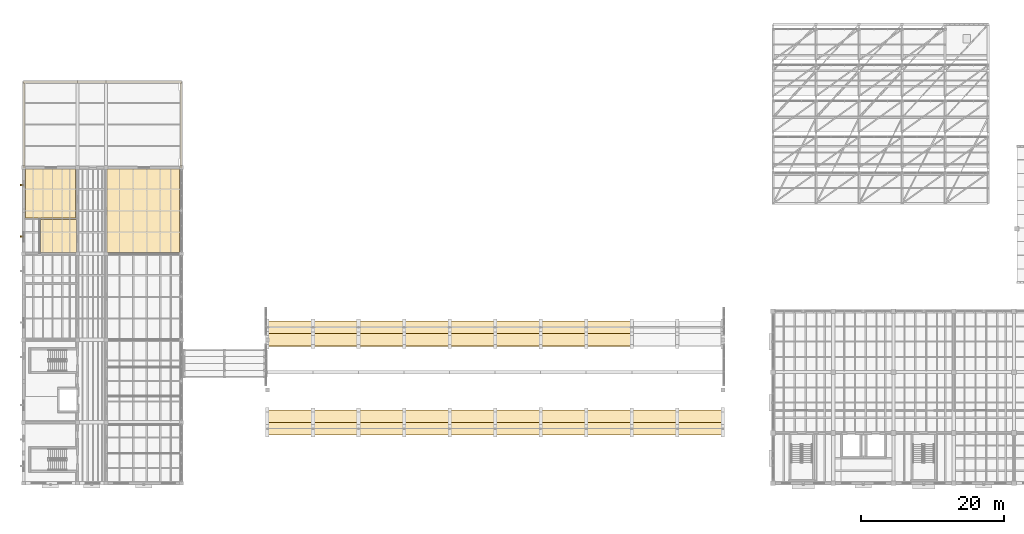
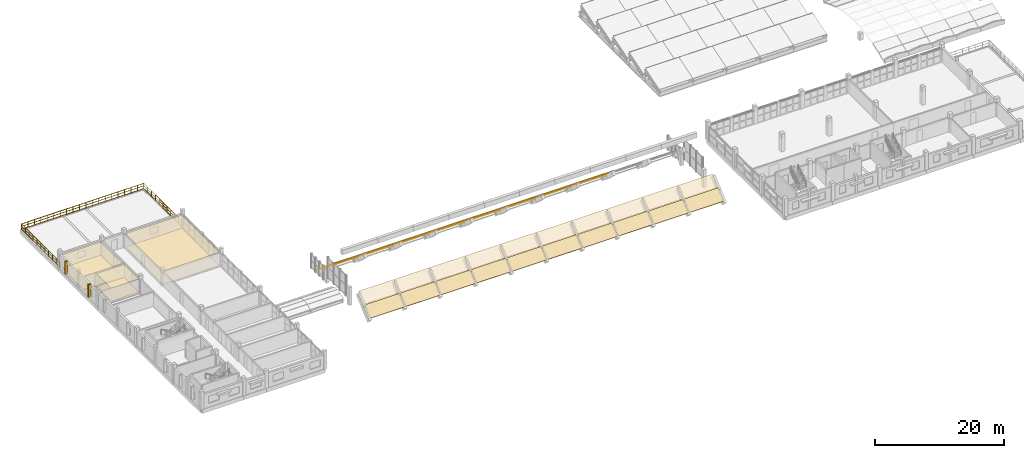
# One storey, part 44 of 48: 42 coverings, 2 shading devices, 1 railing.
"""IFC4 building model written with IfcOpenShell, lengths in metres."""

from ifc_helpers import new_model, si_unit, direction, frame, origin, origin_2d, place, context, subcontext, project, spatial, polyline, rectangle, circle, outline, extrude, material, layer, layer_set, type_object, element, save


model = new_model("IFC4")

# Units and contexts
model_context = context("Model", 3, precision=1e-05, world=origin(), true_north=direction((0.0, 1.0)))
body_context = subcontext(model_context, "Body", "Model", "MODEL_VIEW")
ifc_project = project(units=[si_unit("LENGTHUNIT", "METRE"), si_unit("AREAUNIT", "SQUARE_METRE"), si_unit("VOLUMEUNIT", "CUBIC_METRE"), si_unit("PLANEANGLEUNIT", "RADIAN"), si_unit("MASSUNIT", "GRAM", prefix="KILO")], contexts=[model_context])

# Site, building, storey
site_placement = place(None, origin())
site = spatial("IfcSite", under=ifc_project, at=site_placement, CompositionType="ELEMENT")
building_placement = place(site_placement, origin())
building = spatial("IfcBuilding", under=site, at=building_placement, Name="Trellovar Central Fire Station", CompositionType="ELEMENT")
storey_placement = place(building_placement, frame((0.0, 0.0, 9.300048828125)))
storey = spatial("IfcBuildingStorey", under=building, at=storey_placement, Name="L03", CompositionType="ELEMENT", Elevation=9.300048828125)

# Coverings
ifc_material_1 = material(Name="Perforated acoustic mineral fiber ceiling tile", Category="mineral")
ifc_layer_1 = layer(ifc_material_1, 0.02490234375)
ifc_layer_set_1 = layer_set([ifc_layer_1], Name="Perforated acoustic mineral fiber ceiling tile")
covering_type_1 = type_object("IfcCoveringType", Name="COV-CLG1", PredefinedType="CEILING", material=ifc_layer_set_1)
covering_1_placement = place(storey_placement, frame((0.0, 0.0, 2.47998046875)))
element("IfcCovering", 1, at=covering_1_placement, inside=storey, type_object=covering_type_1, Name="Night Watch Wellness Lounge suspended ceiling", PredefinedType="CEILING", context=body_context, shape_type="SweptSolid", body=[
    extrude(outline(polyline([(8.25, 52.85009765625), (8.25, 46.0), (1.25, 46.0), (1.25, 52.85009765625), (8.25, 52.85009765625)])), origin(), (0.0, 0.0, 1.0), 0.02490234375),
])
ifc_material_2 = material(Name="Moisture-resistant gypsum ceiling board", Category="gypsum")
ifc_layer_2 = layer(ifc_material_2, 0.030029296875)
ifc_layer_set_2 = layer_set([ifc_layer_2], Name="Moisture-resistant gypsum ceiling board")
covering_type_2 = type_object("IfcCoveringType", Name="COV-CLG2", PredefinedType="CEILING", material=ifc_layer_set_2)
covering_2_placement = place(storey_placement, frame((0.0, 0.0, 2.47998046875)))
element("IfcCovering", 2, at=covering_2_placement, inside=storey, type_object=covering_type_2, Name="Dormitory Shower and Locker Suite suspended ceiling", PredefinedType="CEILING", context=body_context, shape_type="SweptSolid", body=[
    extrude(outline(polyline([(22.75, 52.85009765625), (22.75, 41.14990234375), (12.64990234375, 41.14990234375), (12.64990234375, 52.85009765625), (22.75, 52.85009765625)])), origin(), (0.0, 0.0, 1.0), 0.030029296875),
])
covering_3_placement = place(storey_placement, frame((0.0, 0.0, 2.47998046875)))
element("IfcCovering", 3, at=covering_3_placement, inside=storey, type_object=covering_type_2, Name="Dormitory Accessible Bathroom suspended ceiling", PredefinedType="CEILING", context=body_context, shape_type="SweptSolid", body=[
    extrude(outline(polyline([(8.35009765625, 45.800048828125), (8.35009765625, 41.199951171875), (3.35009765625, 41.199951171875), (3.35009765625, 45.800048828125), (8.35009765625, 45.800048828125)])), origin(), (0.0, 0.0, 1.0), 0.030029296875),
])
ifc_material_3 = material(Name="Vitrified Catalan ceramic floor tile", Category="masonry")
ifc_layer_3 = layer(ifc_material_3, 0.01806640625)
ifc_layer_set_3 = layer_set([ifc_layer_3], Name="Vitrified Catalan ceramic floor tile")
covering_type_3 = type_object("IfcCoveringType", Name="COV-FLR2", PredefinedType="FLOORING", material=ifc_layer_set_3)
covering_4_placement = place(storey_placement, origin())
element("IfcCovering", 4, at=covering_4_placement, inside=storey, type_object=covering_type_3, Name="Dormitory Shower and Locker Suite floor finish", PredefinedType="FLOORING", context=body_context, shape_type="SweptSolid", body=[
    extrude(outline(polyline([(22.75, 52.85009765625), (22.75, 41.14990234375), (12.64990234375, 41.14990234375), (12.64990234375, 52.85009765625), (22.75, 52.85009765625)])), origin(), (0.0, 0.0, 1.0), 0.01806640625),
])
covering_5_placement = place(storey_placement, origin())
element("IfcCovering", 5, at=covering_5_placement, inside=storey, type_object=covering_type_3, Name="Dormitory Accessible Bathroom floor finish", PredefinedType="FLOORING", context=body_context, shape_type="SweptSolid", body=[
    extrude(outline(polyline([(8.35009765625, 45.800048828125), (8.35009765625, 41.199951171875), (3.35009765625, 41.199951171875), (3.35009765625, 45.800048828125), (8.35009765625, 45.800048828125)])), origin(), (0.0, 0.0, 1.0), 0.01806640625),
])
covering_6_placement = place(storey_placement, origin())
element("IfcCovering", 6, at=covering_6_placement, inside=storey, type_object=covering_type_3, Name="Night Watch Wellness Lounge floor finish", PredefinedType="FLOORING", context=body_context, shape_type="SweptSolid", body=[
    extrude(outline(polyline([(8.25, 52.85009765625), (8.25, 46.0), (1.25, 46.0), (1.25, 52.85009765625), (8.25, 52.85009765625)])), origin(), (0.0, 0.0, 1.0), 0.01806640625),
])
ifc_material_4 = material(Name="Glazed ceramic trencadis roofing", Category="masonry")
ifc_layer_4 = layer(ifc_material_4, 0.06005859375)
ifc_layer_set_4 = layer_set([ifc_layer_4], Name="Glazed ceramic trencadis roofing")
covering_type_4 = type_object("IfcCoveringType", Name="COV-RF1", PredefinedType="ROOFING", material=ifc_layer_set_4)
covering_7_placement = place(storey_placement, frame((35.0, 15.748779296875, 1.12841796875), z_axis=(0.0, -0.66774294701, 0.74439193757), x_axis=(1.0, 0.0, 0.0)))
element("IfcCovering", 7, at=covering_7_placement, inside=storey, type_object=covering_type_4, Name="Glazed trencadis vault covering V1-01-02", PredefinedType="ROOFING", context=body_context, shape_type="SweptSolid", body=[
    extrude(outline(polyline([(0.0, 0.0), (6.35009765625, 0.0), (6.35009765625, 2.2869573032762025), (0.0, 2.2869573032762025), (0.0, 0.0)])), origin(), (0.0, 0.0, -1.0), 0.06005859375),
])
covering_8_placement = place(storey_placement, frame((35.0, 17.495361328125, 2.695068359375), z_axis=(0.0, -0.667689886388, 0.744439531202), x_axis=(1.0, 0.0, 0.0)))
element("IfcCovering", 8, at=covering_8_placement, inside=storey, type_object=covering_type_4, Name="Glazed trencadis vault covering V1-01-03", PredefinedType="ROOFING", context=body_context, shape_type="SweptSolid", body=[
    extrude(outline(polyline([(0.0, 0.0), (6.35009765625, 0.0), (6.35009765625, 2.287139045399086), (0.0, 2.287139045399086), (0.0, 0.0)])), origin(), (0.0, 0.0, -1.0), 0.06005859375),
])
covering_9_placement = place(storey_placement, frame((35.0, 28.110595703125, 3.9248046875), z_axis=(0.0, 0.696346274579, 0.717705974533), x_axis=(1.0, 0.0, 0.0)))
element("IfcCovering", 9, at=covering_9_placement, inside=storey, type_object=covering_type_4, Name="Glazed trencadis vault covering V1-01-09", PredefinedType="ROOFING", context=body_context, shape_type="SweptSolid", body=[
    extrude(outline(polyline([(0.0, 0.0), (6.35009765625, 0.0), (6.35009765625, 2.4345825660173794), (0.0, 2.4345825660173794), (0.0, 0.0)])), origin(), (0.0, 0.0, -1.0), 0.06005859375),
])
covering_10_placement = place(storey_placement, frame((35.0, 29.8994140625, 2.1962890625), z_axis=(0.0, 0.622845234629, 0.782345073289), x_axis=(1.0, 0.0, 0.0)))
element("IfcCovering", 10, at=covering_10_placement, inside=storey, type_object=covering_type_4, Name="Glazed trencadis vault covering V1-01-10", PredefinedType="ROOFING", context=body_context, shape_type="SweptSolid", body=[
    extrude(outline(polyline([(0.0, 0.0), (6.35009765625, 0.0), (6.35009765625, 2.239361101406021), (0.0, 2.239361101406021), (0.0, 0.0)])), origin(), (0.0, 0.0, -1.0), 0.06005859375),
])
covering_11_placement = place(storey_placement, frame((41.35009765625, 15.748779296875, 1.12841796875), z_axis=(0.0, -0.66774294701, 0.74439193757), x_axis=(1.0, 0.0, 0.0)))
element("IfcCovering", 11, at=covering_11_placement, inside=storey, type_object=covering_type_4, Name="Glazed trencadis vault covering V1-02-02", PredefinedType="ROOFING", context=body_context, shape_type="SweptSolid", body=[
    extrude(outline(polyline([(0.0, 0.0), (6.349853515625, 0.0), (6.349853515625, 2.286957303276203), (0.0, 2.286957303276203), (0.0, 0.0)])), origin(), (0.0, 0.0, -1.0), 0.06005859375),
])
covering_12_placement = place(storey_placement, frame((41.35009765625, 17.495361328125, 2.695068359375), z_axis=(0.0, -0.667689886388, 0.744439531202), x_axis=(1.0, 0.0, 0.0)))
element("IfcCovering", 12, at=covering_12_placement, inside=storey, type_object=covering_type_4, Name="Glazed trencadis vault covering V1-02-03", PredefinedType="ROOFING", context=body_context, shape_type="SweptSolid", body=[
    extrude(outline(polyline([(0.0, 0.0), (6.349853515625, 0.0), (6.349853515625, 2.287139045399087), (0.0, 2.287139045399087), (0.0, 0.0)])), origin(), (0.0, 0.0, -1.0), 0.06005859375),
])
covering_13_placement = place(storey_placement, frame((41.35009765625, 28.110595703125, 3.9248046875), z_axis=(0.0, 0.696346274579, 0.717705974533), x_axis=(1.0, 0.0, 0.0)))
element("IfcCovering", 13, at=covering_13_placement, inside=storey, type_object=covering_type_4, Name="Glazed trencadis vault covering V1-02-09", PredefinedType="ROOFING", context=body_context, shape_type="SweptSolid", body=[
    extrude(outline(polyline([(0.0, 0.0), (6.349853515625, 0.0), (6.349853515625, 2.4345825660173794), (0.0, 2.4345825660173794), (0.0, 0.0)])), origin(), (0.0, 0.0, -1.0), 0.06005859375),
])
covering_14_placement = place(storey_placement, frame((41.35009765625, 29.8994140625, 2.1962890625), z_axis=(0.0, 0.622845234629, 0.782345073289), x_axis=(1.0, 0.0, 0.0)))
element("IfcCovering", 14, at=covering_14_placement, inside=storey, type_object=covering_type_4, Name="Glazed trencadis vault covering V1-02-10", PredefinedType="ROOFING", context=body_context, shape_type="SweptSolid", body=[
    extrude(outline(polyline([(0.0, 0.0), (6.349853515625, 0.0), (6.349853515625, 2.239361101406021), (0.0, 2.239361101406021), (0.0, 0.0)])), origin(), (0.0, 0.0, -1.0), 0.06005859375),
])
covering_15_placement = place(storey_placement, frame((47.699951171875, 15.748779296875, 1.12841796875), z_axis=(0.0, -0.66774294701, 0.74439193757), x_axis=(1.0, 0.0, 0.0)))
element("IfcCovering", 15, at=covering_15_placement, inside=storey, type_object=covering_type_4, Name="Glazed trencadis vault covering V1-03-02", PredefinedType="ROOFING", context=body_context, shape_type="SweptSolid", body=[
    extrude(outline(polyline([(0.0, 0.0), (6.35009765625, 0.0), (6.35009765625, 2.2869573032762025), (0.0, 2.2869573032762025), (0.0, 0.0)])), origin(), (0.0, 0.0, -1.0), 0.06005859375),
])
covering_16_placement = place(storey_placement, frame((47.699951171875, 17.495361328125, 2.695068359375), z_axis=(0.0, -0.667689886388, 0.744439531202), x_axis=(1.0, 0.0, 0.0)))
element("IfcCovering", 16, at=covering_16_placement, inside=storey, type_object=covering_type_4, Name="Glazed trencadis vault covering V1-03-03", PredefinedType="ROOFING", context=body_context, shape_type="SweptSolid", body=[
    extrude(outline(polyline([(0.0, 0.0), (6.35009765625, 0.0), (6.35009765625, 2.287139045399086), (0.0, 2.287139045399086), (0.0, 0.0)])), origin(), (0.0, 0.0, -1.0), 0.06005859375),
])
covering_17_placement = place(storey_placement, frame((47.699951171875, 28.110595703125, 3.9248046875), z_axis=(0.0, 0.696346274579, 0.717705974533), x_axis=(1.0, 0.0, 0.0)))
element("IfcCovering", 17, at=covering_17_placement, inside=storey, type_object=covering_type_4, Name="Glazed trencadis vault covering V1-03-09", PredefinedType="ROOFING", context=body_context, shape_type="SweptSolid", body=[
    extrude(outline(polyline([(0.0, 0.0), (6.35009765625, 0.0), (6.35009765625, 2.4345825660173794), (0.0, 2.4345825660173794), (0.0, 0.0)])), origin(), (0.0, 0.0, -1.0), 0.06005859375),
])
covering_18_placement = place(storey_placement, frame((47.699951171875, 29.8994140625, 2.1962890625), z_axis=(0.0, 0.622845234629, 0.782345073289), x_axis=(1.0, 0.0, 0.0)))
element("IfcCovering", 18, at=covering_18_placement, inside=storey, type_object=covering_type_4, Name="Glazed trencadis vault covering V1-03-10", PredefinedType="ROOFING", context=body_context, shape_type="SweptSolid", body=[
    extrude(outline(polyline([(0.0, 0.0), (6.35009765625, 0.0), (6.35009765625, 2.239361101406021), (0.0, 2.239361101406021), (0.0, 0.0)])), origin(), (0.0, 0.0, -1.0), 0.06005859375),
])
covering_19_placement = place(storey_placement, frame((54.050048828125, 15.748779296875, 1.12841796875), z_axis=(0.0, -0.66774294701, 0.74439193757), x_axis=(1.0, 0.0, 0.0)))
element("IfcCovering", 19, at=covering_19_placement, inside=storey, type_object=covering_type_4, Name="Glazed trencadis vault covering V1-04-02", PredefinedType="ROOFING", context=body_context, shape_type="SweptSolid", body=[
    extrude(outline(polyline([(0.0, 0.0), (6.349853515625, 0.0), (6.349853515625, 2.286957303276203), (0.0, 2.286957303276203), (0.0, 0.0)])), origin(), (0.0, 0.0, -1.0), 0.06005859375),
])
covering_20_placement = place(storey_placement, frame((54.050048828125, 17.495361328125, 2.695068359375), z_axis=(0.0, -0.667689886388, 0.744439531202), x_axis=(1.0, 0.0, 0.0)))
element("IfcCovering", 20, at=covering_20_placement, inside=storey, type_object=covering_type_4, Name="Glazed trencadis vault covering V1-04-03", PredefinedType="ROOFING", context=body_context, shape_type="SweptSolid", body=[
    extrude(outline(polyline([(0.0, 0.0), (6.349853515625, 0.0), (6.349853515625, 2.287139045399087), (0.0, 2.287139045399087), (0.0, 0.0)])), origin(), (0.0, 0.0, -1.0), 0.06005859375),
])
covering_21_placement = place(storey_placement, frame((54.050048828125, 28.110595703125, 3.9248046875), z_axis=(0.0, 0.696346274579, 0.717705974533), x_axis=(1.0, 0.0, 0.0)))
element("IfcCovering", 21, at=covering_21_placement, inside=storey, type_object=covering_type_4, Name="Glazed trencadis vault covering V1-04-09", PredefinedType="ROOFING", context=body_context, shape_type="SweptSolid", body=[
    extrude(outline(polyline([(0.0, 0.0), (6.349853515625, 0.0), (6.349853515625, 2.4345825660173794), (0.0, 2.4345825660173794), (0.0, 0.0)])), origin(), (0.0, 0.0, -1.0), 0.06005859375),
])
covering_22_placement = place(storey_placement, frame((54.050048828125, 29.8994140625, 2.1962890625), z_axis=(0.0, 0.622845234629, 0.782345073289), x_axis=(1.0, 0.0, 0.0)))
element("IfcCovering", 22, at=covering_22_placement, inside=storey, type_object=covering_type_4, Name="Glazed trencadis vault covering V1-04-10", PredefinedType="ROOFING", context=body_context, shape_type="SweptSolid", body=[
    extrude(outline(polyline([(0.0, 0.0), (6.349853515625, 0.0), (6.349853515625, 2.239361101406021), (0.0, 2.239361101406021), (0.0, 0.0)])), origin(), (0.0, 0.0, -1.0), 0.06005859375),
])
covering_23_placement = place(storey_placement, frame((60.39990234375, 15.748779296875, 1.12841796875), z_axis=(0.0, -0.66774294701, 0.74439193757), x_axis=(1.0, 0.0, 0.0)))
element("IfcCovering", 23, at=covering_23_placement, inside=storey, type_object=covering_type_4, Name="Glazed trencadis vault covering V1-05-02", PredefinedType="ROOFING", context=body_context, shape_type="SweptSolid", body=[
    extrude(outline(polyline([(0.0, 0.0), (6.35009765625, 0.0), (6.35009765625, 2.2869573032762025), (0.0, 2.2869573032762025), (0.0, 0.0)])), origin(), (0.0, 0.0, -1.0), 0.06005859375),
])
covering_24_placement = place(storey_placement, frame((60.39990234375, 17.495361328125, 2.695068359375), z_axis=(0.0, -0.667689886388, 0.744439531202), x_axis=(1.0, 0.0, 0.0)))
element("IfcCovering", 24, at=covering_24_placement, inside=storey, type_object=covering_type_4, Name="Glazed trencadis vault covering V1-05-03", PredefinedType="ROOFING", context=body_context, shape_type="SweptSolid", body=[
    extrude(outline(polyline([(0.0, 0.0), (6.35009765625, 0.0), (6.35009765625, 2.287139045399086), (0.0, 2.287139045399086), (0.0, 0.0)])), origin(), (0.0, 0.0, -1.0), 0.06005859375),
])
covering_25_placement = place(storey_placement, frame((60.39990234375, 28.110595703125, 3.9248046875), z_axis=(0.0, 0.696346274579, 0.717705974533), x_axis=(1.0, 0.0, 0.0)))
element("IfcCovering", 25, at=covering_25_placement, inside=storey, type_object=covering_type_4, Name="Glazed trencadis vault covering V1-05-09", PredefinedType="ROOFING", context=body_context, shape_type="SweptSolid", body=[
    extrude(outline(polyline([(0.0, 0.0), (6.35009765625, 0.0), (6.35009765625, 2.4345825660173794), (0.0, 2.4345825660173794), (0.0, 0.0)])), origin(), (0.0, 0.0, -1.0), 0.06005859375),
])
covering_26_placement = place(storey_placement, frame((60.39990234375, 29.8994140625, 2.1962890625), z_axis=(0.0, 0.622845234629, 0.782345073289), x_axis=(1.0, 0.0, 0.0)))
element("IfcCovering", 26, at=covering_26_placement, inside=storey, type_object=covering_type_4, Name="Glazed trencadis vault covering V1-05-10", PredefinedType="ROOFING", context=body_context, shape_type="SweptSolid", body=[
    extrude(outline(polyline([(0.0, 0.0), (6.35009765625, 0.0), (6.35009765625, 2.239361101406021), (0.0, 2.239361101406021), (0.0, 0.0)])), origin(), (0.0, 0.0, -1.0), 0.06005859375),
])
covering_27_placement = place(storey_placement, frame((66.75, 15.748779296875, 1.12841796875), z_axis=(0.0, -0.66774294701, 0.74439193757), x_axis=(1.0, 0.0, 0.0)))
element("IfcCovering", 27, at=covering_27_placement, inside=storey, type_object=covering_type_4, Name="Glazed trencadis vault covering V1-06-02", PredefinedType="ROOFING", context=body_context, shape_type="SweptSolid", body=[
    extrude(outline(polyline([(0.0, 0.0), (6.35009765625, 0.0), (6.35009765625, 2.2869573032762025), (0.0, 2.2869573032762025), (0.0, 0.0)])), origin(), (0.0, 0.0, -1.0), 0.06005859375),
])
covering_28_placement = place(storey_placement, frame((66.75, 17.495361328125, 2.695068359375), z_axis=(0.0, -0.667689886388, 0.744439531202), x_axis=(1.0, 0.0, 0.0)))
element("IfcCovering", 28, at=covering_28_placement, inside=storey, type_object=covering_type_4, Name="Glazed trencadis vault covering V1-06-03", PredefinedType="ROOFING", context=body_context, shape_type="SweptSolid", body=[
    extrude(outline(polyline([(0.0, 0.0), (6.35009765625, 0.0), (6.35009765625, 2.287139045399086), (0.0, 2.287139045399086), (0.0, 0.0)])), origin(), (0.0, 0.0, -1.0), 0.06005859375),
])
covering_29_placement = place(storey_placement, frame((66.75, 28.110595703125, 3.9248046875), z_axis=(0.0, 0.696346274579, 0.717705974533), x_axis=(1.0, 0.0, 0.0)))
element("IfcCovering", 29, at=covering_29_placement, inside=storey, type_object=covering_type_4, Name="Glazed trencadis vault covering V1-06-09", PredefinedType="ROOFING", context=body_context, shape_type="SweptSolid", body=[
    extrude(outline(polyline([(0.0, 0.0), (6.35009765625, 0.0), (6.35009765625, 2.4345825660173794), (0.0, 2.4345825660173794), (0.0, 0.0)])), origin(), (0.0, 0.0, -1.0), 0.06005859375),
])
covering_30_placement = place(storey_placement, frame((66.75, 29.8994140625, 2.1962890625), z_axis=(0.0, 0.622845234629, 0.782345073289), x_axis=(1.0, 0.0, 0.0)))
element("IfcCovering", 30, at=covering_30_placement, inside=storey, type_object=covering_type_4, Name="Glazed trencadis vault covering V1-06-10", PredefinedType="ROOFING", context=body_context, shape_type="SweptSolid", body=[
    extrude(outline(polyline([(0.0, 0.0), (6.35009765625, 0.0), (6.35009765625, 2.239361101406021), (0.0, 2.239361101406021), (0.0, 0.0)])), origin(), (0.0, 0.0, -1.0), 0.06005859375),
])
covering_31_placement = place(storey_placement, frame((73.10009765625, 15.748779296875, 1.12841796875), z_axis=(0.0, -0.66774294701, 0.74439193757), x_axis=(1.0, 0.0, 0.0)))
element("IfcCovering", 31, at=covering_31_placement, inside=storey, type_object=covering_type_4, Name="Glazed trencadis vault covering V1-07-02", PredefinedType="ROOFING", context=body_context, shape_type="SweptSolid", body=[
    extrude(outline(polyline([(0.0, 0.0), (6.349853515625, 0.0), (6.349853515625, 2.286957303276203), (0.0, 2.286957303276203), (0.0, 0.0)])), origin(), (0.0, 0.0, -1.0), 0.06005859375),
])
covering_32_placement = place(storey_placement, frame((73.10009765625, 17.495361328125, 2.695068359375), z_axis=(0.0, -0.667689886388, 0.744439531202), x_axis=(1.0, 0.0, 0.0)))
element("IfcCovering", 32, at=covering_32_placement, inside=storey, type_object=covering_type_4, Name="Glazed trencadis vault covering V1-07-03", PredefinedType="ROOFING", context=body_context, shape_type="SweptSolid", body=[
    extrude(outline(polyline([(0.0, 0.0), (6.349853515625, 0.0), (6.349853515625, 2.287139045399087), (0.0, 2.287139045399087), (0.0, 0.0)])), origin(), (0.0, 0.0, -1.0), 0.06005859375),
])
covering_33_placement = place(storey_placement, frame((73.10009765625, 28.110595703125, 3.9248046875), z_axis=(0.0, 0.696346274579, 0.717705974533), x_axis=(1.0, 0.0, 0.0)))
element("IfcCovering", 33, at=covering_33_placement, inside=storey, type_object=covering_type_4, Name="Glazed trencadis vault covering V1-07-09", PredefinedType="ROOFING", context=body_context, shape_type="SweptSolid", body=[
    extrude(outline(polyline([(0.0, 0.0), (6.349853515625, 0.0), (6.349853515625, 2.4345825660173794), (0.0, 2.4345825660173794), (0.0, 0.0)])), origin(), (0.0, 0.0, -1.0), 0.06005859375),
])
covering_34_placement = place(storey_placement, frame((73.10009765625, 29.8994140625, 2.1962890625), z_axis=(0.0, 0.622845234629, 0.782345073289), x_axis=(1.0, 0.0, 0.0)))
element("IfcCovering", 34, at=covering_34_placement, inside=storey, type_object=covering_type_4, Name="Glazed trencadis vault covering V1-07-10", PredefinedType="ROOFING", context=body_context, shape_type="SweptSolid", body=[
    extrude(outline(polyline([(0.0, 0.0), (6.349853515625, 0.0), (6.349853515625, 2.239361101406021), (0.0, 2.239361101406021), (0.0, 0.0)])), origin(), (0.0, 0.0, -1.0), 0.06005859375),
])
covering_35_placement = place(storey_placement, frame((79.449951171875, 15.748779296875, 1.12841796875), z_axis=(0.0, -0.66774294701, 0.74439193757), x_axis=(1.0, 0.0, 0.0)))
element("IfcCovering", 35, at=covering_35_placement, inside=storey, type_object=covering_type_4, Name="Glazed trencadis vault covering V1-08-02", PredefinedType="ROOFING", context=body_context, shape_type="SweptSolid", body=[
    extrude(outline(polyline([(0.0, 0.0), (6.35009765625, 0.0), (6.35009765625, 2.2869573032762025), (0.0, 2.2869573032762025), (0.0, 0.0)])), origin(), (0.0, 0.0, -1.0), 0.06005859375),
])
covering_36_placement = place(storey_placement, frame((79.449951171875, 17.495361328125, 2.695068359375), z_axis=(0.0, -0.667689886388, 0.744439531202), x_axis=(1.0, 0.0, 0.0)))
element("IfcCovering", 36, at=covering_36_placement, inside=storey, type_object=covering_type_4, Name="Glazed trencadis vault covering V1-08-03", PredefinedType="ROOFING", context=body_context, shape_type="SweptSolid", body=[
    extrude(outline(polyline([(0.0, 0.0), (6.35009765625, 0.0), (6.35009765625, 2.287139045399086), (0.0, 2.287139045399086), (0.0, 0.0)])), origin(), (0.0, 0.0, -1.0), 0.06005859375),
])
covering_37_placement = place(storey_placement, frame((79.449951171875, 28.110595703125, 3.9248046875), z_axis=(0.0, 0.696346274579, 0.717705974533), x_axis=(1.0, 0.0, 0.0)))
element("IfcCovering", 37, at=covering_37_placement, inside=storey, type_object=covering_type_4, Name="Glazed trencadis vault covering V1-08-09", PredefinedType="ROOFING", context=body_context, shape_type="SweptSolid", body=[
    extrude(outline(polyline([(0.0, 0.0), (6.35009765625, 0.0), (6.35009765625, 2.4345825660173794), (0.0, 2.4345825660173794), (0.0, 0.0)])), origin(), (0.0, 0.0, -1.0), 0.06005859375),
])
covering_38_placement = place(storey_placement, frame((79.449951171875, 29.8994140625, 2.1962890625), z_axis=(0.0, 0.622845234629, 0.782345073289), x_axis=(1.0, 0.0, 0.0)))
element("IfcCovering", 38, at=covering_38_placement, inside=storey, type_object=covering_type_4, Name="Glazed trencadis vault covering V1-08-10", PredefinedType="ROOFING", context=body_context, shape_type="SweptSolid", body=[
    extrude(outline(polyline([(0.0, 0.0), (6.35009765625, 0.0), (6.35009765625, 2.239361101406021), (0.0, 2.239361101406021), (0.0, 0.0)])), origin(), (0.0, 0.0, -1.0), 0.06005859375),
])
covering_39_placement = place(storey_placement, frame((85.800048828125, 15.748779296875, 1.12841796875), z_axis=(0.0, -0.66774294701, 0.74439193757), x_axis=(1.0, 0.0, 0.0)))
element("IfcCovering", 39, at=covering_39_placement, inside=storey, type_object=covering_type_4, Name="Glazed trencadis vault covering V1-09-02", PredefinedType="ROOFING", context=body_context, shape_type="SweptSolid", body=[
    extrude(outline(polyline([(0.0, 0.0), (6.349853515625, 0.0), (6.349853515625, 2.286957303276203), (0.0, 2.286957303276203), (0.0, 0.0)])), origin(), (0.0, 0.0, -1.0), 0.06005859375),
])
covering_40_placement = place(storey_placement, frame((85.800048828125, 17.495361328125, 2.695068359375), z_axis=(0.0, -0.667689886388, 0.744439531202), x_axis=(1.0, 0.0, 0.0)))
element("IfcCovering", 40, at=covering_40_placement, inside=storey, type_object=covering_type_4, Name="Glazed trencadis vault covering V1-09-03", PredefinedType="ROOFING", context=body_context, shape_type="SweptSolid", body=[
    extrude(outline(polyline([(0.0, 0.0), (6.349853515625, 0.0), (6.349853515625, 2.287139045399087), (0.0, 2.287139045399087), (0.0, 0.0)])), origin(), (0.0, 0.0, -1.0), 0.06005859375),
])
covering_41_placement = place(storey_placement, frame((92.14990234375, 15.748779296875, 1.12841796875), z_axis=(0.0, -0.66774294701, 0.74439193757), x_axis=(1.0, 0.0, 0.0)))
element("IfcCovering", 41, at=covering_41_placement, inside=storey, type_object=covering_type_4, Name="Glazed trencadis vault covering V1-10-02", PredefinedType="ROOFING", context=body_context, shape_type="SweptSolid", body=[
    extrude(outline(polyline([(0.0, 0.0), (6.35009765625, 0.0), (6.35009765625, 2.2869573032762025), (0.0, 2.2869573032762025), (0.0, 0.0)])), origin(), (0.0, 0.0, -1.0), 0.06005859375),
])
covering_42_placement = place(storey_placement, frame((92.14990234375, 17.495361328125, 2.695068359375), z_axis=(0.0, -0.667689886388, 0.744439531202), x_axis=(1.0, 0.0, 0.0)))
element("IfcCovering", 42, at=covering_42_placement, inside=storey, type_object=covering_type_4, Name="Glazed trencadis vault covering V1-10-03", PredefinedType="ROOFING", context=body_context, shape_type="SweptSolid", body=[
    extrude(outline(polyline([(0.0, 0.0), (6.35009765625, 0.0), (6.35009765625, 2.287139045399086), (0.0, 2.287139045399086), (0.0, 0.0)])), origin(), (0.0, 0.0, -1.0), 0.06005859375),
])

# Railing
ifc_material_5 = material(Name="Patina bronze wrought metalwork", Category="metal")
ifc_layer_5 = layer(ifc_material_5, 0.06005859375)
ifc_layer_set_5 = layer_set([ifc_layer_5], Name="Patina bronze wrought metalwork")
railing_type = type_object("IfcRailingType", Name="RL-GUARD1", PredefinedType="GUARDRAIL", material=ifc_layer_set_5)
railing_placement = place(storey_placement, frame((1.050048828125, 53.0, 0.0)))
element("IfcRailing", 43, at=railing_placement, inside=storey, type_object=railing_type, Name="V4 L03 terrace guardrail", PredefinedType="GUARDRAIL", context=body_context, shape_type="SweptSolid", body=[
    extrude(circle(Radius=0.02392578125, at=origin_2d()), frame((0.0, 0.0, 1.09619140625), z_axis=(0.0, 1.0, 0.0), x_axis=(-1.0, 0.0, 0.0)), (0.0, 0.0, 1.0), 11.949951171875),
    extrude(circle(Radius=0.015625, at=origin_2d()), frame((0.0, 0.0, 0.10009765625), z_axis=(0.0, 1.0, 0.0), x_axis=(-1.0, 0.0, 0.0)), (0.0, 0.0, 1.0), 11.949951171875),
    extrude(circle(Radius=0.015625, at=origin_2d()), frame((0.0, 0.0, 0.615966796875), z_axis=(0.0, 1.0, 0.0), x_axis=(-1.0, 0.0, 0.0)), (0.0, 0.0, 1.0), 11.949951171875),
    extrude(circle(Radius=0.02392578125, at=origin_2d()), frame((0.0, 11.949951171875, 1.09619140625), z_axis=(1.0, 0.0, 0.0), x_axis=(0.0, 1.0, 0.0)), (0.0, 0.0, 1.0), 21.89990234375),
    extrude(circle(Radius=0.015625, at=origin_2d()), frame((0.0, 11.949951171875, 0.10009765625), z_axis=(1.0, 0.0, 0.0), x_axis=(0.0, 1.0, 0.0)), (0.0, 0.0, 1.0), 21.89990234375),
    extrude(circle(Radius=0.015625, at=origin_2d()), frame((0.0, 11.949951171875, 0.615966796875), z_axis=(1.0, 0.0, 0.0), x_axis=(0.0, 1.0, 0.0)), (0.0, 0.0, 1.0), 21.89990234375),
    extrude(circle(Radius=0.02392578125, at=origin_2d()), frame((21.89990234375, 11.949951171875, 1.09619140625), z_axis=(0.0, -1.0, 0.0), x_axis=(1.0, 0.0, 0.0)), (0.0, 0.0, 1.0), 11.949951171875),
    extrude(circle(Radius=0.015625, at=origin_2d()), frame((21.89990234375, 11.949951171875, 0.10009765625), z_axis=(0.0, -1.0, 0.0), x_axis=(1.0, 0.0, 0.0)), (0.0, 0.0, 1.0), 11.949951171875),
    extrude(circle(Radius=0.015625, at=origin_2d()), frame((21.89990234375, 11.949951171875, 0.615966796875), z_axis=(0.0, -1.0, 0.0), x_axis=(1.0, 0.0, 0.0)), (0.0, 0.0, 1.0), 11.949951171875),
    extrude(circle(Radius=0.02099609375, at=origin_2d()), origin(), (0.0, 0.0, 1.0), 1.072021484375),
    extrude(circle(Radius=0.02099609375, at=origin_2d()), frame((0.0, 1.195068359375, 0.0)), (0.0, 0.0, 1.0), 1.072021484375),
    extrude(circle(Radius=0.02099609375, at=origin_2d()), frame((0.0, 2.389892578125, 0.0)), (0.0, 0.0, 1.0), 1.072021484375),
    extrude(circle(Radius=0.02099609375, at=origin_2d()), frame((0.0, 3.5849609375, 0.0)), (0.0, 0.0, 1.0), 1.072021484375),
    extrude(circle(Radius=0.02099609375, at=origin_2d()), frame((0.0, 4.780029296875, 0.0)), (0.0, 0.0, 1.0), 1.072021484375),
    extrude(circle(Radius=0.02099609375, at=origin_2d()), frame((0.0, 5.97509765625, 0.0)), (0.0, 0.0, 1.0), 1.072021484375),
    extrude(circle(Radius=0.02099609375, at=origin_2d()), frame((0.0, 7.169921875, 0.0)), (0.0, 0.0, 1.0), 1.072021484375),
    extrude(circle(Radius=0.02099609375, at=origin_2d()), frame((0.0, 8.364990234375, 0.0)), (0.0, 0.0, 1.0), 1.072021484375),
    extrude(circle(Radius=0.02099609375, at=origin_2d()), frame((0.0, 9.56005859375, 0.0)), (0.0, 0.0, 1.0), 1.072021484375),
    extrude(circle(Radius=0.02099609375, at=origin_2d()), frame((0.0, 10.7548828125, 0.0)), (0.0, 0.0, 1.0), 1.072021484375),
    extrude(circle(Radius=0.02099609375, at=origin_2d()), frame((0.0, 11.949951171875, 0.0)), (0.0, 0.0, 1.0), 1.072021484375),
    extrude(circle(Radius=0.02099609375, at=origin_2d()), frame((1.152587890625, 11.949951171875, 0.0)), (0.0, 0.0, 1.0), 1.072021484375),
    extrude(circle(Radius=0.02099609375, at=origin_2d()), frame((2.30517578125, 11.949951171875, 0.0)), (0.0, 0.0, 1.0), 1.072021484375),
    extrude(circle(Radius=0.02099609375, at=origin_2d()), frame((3.457763671875, 11.949951171875, 0.0)), (0.0, 0.0, 1.0), 1.072021484375),
    extrude(circle(Radius=0.02099609375, at=origin_2d()), frame((4.610595703125, 11.949951171875, 0.0)), (0.0, 0.0, 1.0), 1.072021484375),
    extrude(circle(Radius=0.02099609375, at=origin_2d()), frame((5.76318359375, 11.949951171875, 0.0)), (0.0, 0.0, 1.0), 1.072021484375),
    extrude(circle(Radius=0.02099609375, at=origin_2d()), frame((6.915771484375, 11.949951171875, 0.0)), (0.0, 0.0, 1.0), 1.072021484375),
    extrude(circle(Radius=0.02099609375, at=origin_2d()), frame((8.068359375, 11.949951171875, 0.0)), (0.0, 0.0, 1.0), 1.072021484375),
    extrude(circle(Radius=0.02099609375, at=origin_2d()), frame((9.220947265625, 11.949951171875, 0.0)), (0.0, 0.0, 1.0), 1.072021484375),
    extrude(circle(Radius=0.02099609375, at=origin_2d()), frame((10.37353515625, 11.949951171875, 0.0)), (0.0, 0.0, 1.0), 1.072021484375),
    extrude(circle(Radius=0.02099609375, at=origin_2d()), frame((11.5263671875, 11.949951171875, 0.0)), (0.0, 0.0, 1.0), 1.072021484375),
    extrude(circle(Radius=0.02099609375, at=origin_2d()), frame((12.678955078125, 11.949951171875, 0.0)), (0.0, 0.0, 1.0), 1.072021484375),
    extrude(circle(Radius=0.02099609375, at=origin_2d()), frame((13.83154296875, 11.949951171875, 0.0)), (0.0, 0.0, 1.0), 1.072021484375),
    extrude(circle(Radius=0.02099609375, at=origin_2d()), frame((14.984130859375, 11.949951171875, 0.0)), (0.0, 0.0, 1.0), 1.072021484375),
    extrude(circle(Radius=0.02099609375, at=origin_2d()), frame((16.13671875, 11.949951171875, 0.0)), (0.0, 0.0, 1.0), 1.072021484375),
    extrude(circle(Radius=0.02099609375, at=origin_2d()), frame((17.289306640625, 11.949951171875, 0.0)), (0.0, 0.0, 1.0), 1.072021484375),
    extrude(circle(Radius=0.02099609375, at=origin_2d()), frame((18.442138671875, 11.949951171875, 0.0)), (0.0, 0.0, 1.0), 1.072021484375),
    extrude(circle(Radius=0.02099609375, at=origin_2d()), frame((19.5947265625, 11.949951171875, 0.0)), (0.0, 0.0, 1.0), 1.072021484375),
    extrude(circle(Radius=0.02099609375, at=origin_2d()), frame((20.747314453125, 11.949951171875, 0.0)), (0.0, 0.0, 1.0), 1.072021484375),
    extrude(circle(Radius=0.02099609375, at=origin_2d()), frame((21.89990234375, 11.949951171875, 0.0)), (0.0, 0.0, 1.0), 1.072021484375),
    extrude(circle(Radius=0.02099609375, at=origin_2d()), frame((21.89990234375, 10.7548828125, 0.0)), (0.0, 0.0, 1.0), 1.072021484375),
    extrude(circle(Radius=0.02099609375, at=origin_2d()), frame((21.89990234375, 9.56005859375, 0.0)), (0.0, 0.0, 1.0), 1.072021484375),
    extrude(circle(Radius=0.02099609375, at=origin_2d()), frame((21.89990234375, 8.364990234375, 0.0)), (0.0, 0.0, 1.0), 1.072021484375),
    extrude(circle(Radius=0.02099609375, at=origin_2d()), frame((21.89990234375, 7.169921875, 0.0)), (0.0, 0.0, 1.0), 1.072021484375),
    extrude(circle(Radius=0.02099609375, at=origin_2d()), frame((21.89990234375, 5.97509765625, 0.0)), (0.0, 0.0, 1.0), 1.072021484375),
    extrude(circle(Radius=0.02099609375, at=origin_2d()), frame((21.89990234375, 4.780029296875, 0.0)), (0.0, 0.0, 1.0), 1.072021484375),
    extrude(circle(Radius=0.02099609375, at=origin_2d()), frame((21.89990234375, 3.5849609375, 0.0)), (0.0, 0.0, 1.0), 1.072021484375),
    extrude(circle(Radius=0.02099609375, at=origin_2d()), frame((21.89990234375, 2.389892578125, 0.0)), (0.0, 0.0, 1.0), 1.072021484375),
    extrude(circle(Radius=0.02099609375, at=origin_2d()), frame((21.89990234375, 1.195068359375, 0.0)), (0.0, 0.0, 1.0), 1.072021484375),
    extrude(circle(Radius=0.02099609375, at=origin_2d()), frame((21.89990234375, 0.0, 0.0)), (0.0, 0.0, 1.0), 1.072021484375),
])

# Shading devices
ifc_material_6 = material(Name="Patina bronze wrought metalwork", Category="metal")
shading_device_type = type_object("IfcShadingDeviceType", Name="SHD-LV2", PredefinedType="SHUTTER", material=ifc_material_6)
for number, where, z_axis, x_axis, name in (
    (44, (0.72509765625, 43.39990234375, 0.449951171875), (0.0, 0.0, 1.0), (1.0, 0.0, 0.0), "L03 Catalan solar brise-soleil LV-2"),
    (45, (0.72509765625, 50.60009765625, 0.449951171875), (0.0, 0.0, 1.0), (1.0, 0.0, 0.0), "L03 Catalan solar brise-soleil LV-2"),
):
    element("IfcShadingDevice", number, at=place(storey_placement, frame(where, z_axis=z_axis, x_axis=x_axis)), inside=storey, type_object=shading_device_type, Name=name, PredefinedType="SHUTTER", context=body_context, shape_type="SweptSolid", body=[
        extrude(rectangle(XDim=0.449951171875, YDim=0.239990234375, at=origin_2d()), origin(), (0.0, 0.0, 1.0), 2.39990234375),
    ])

save(model, "model.ifc")
